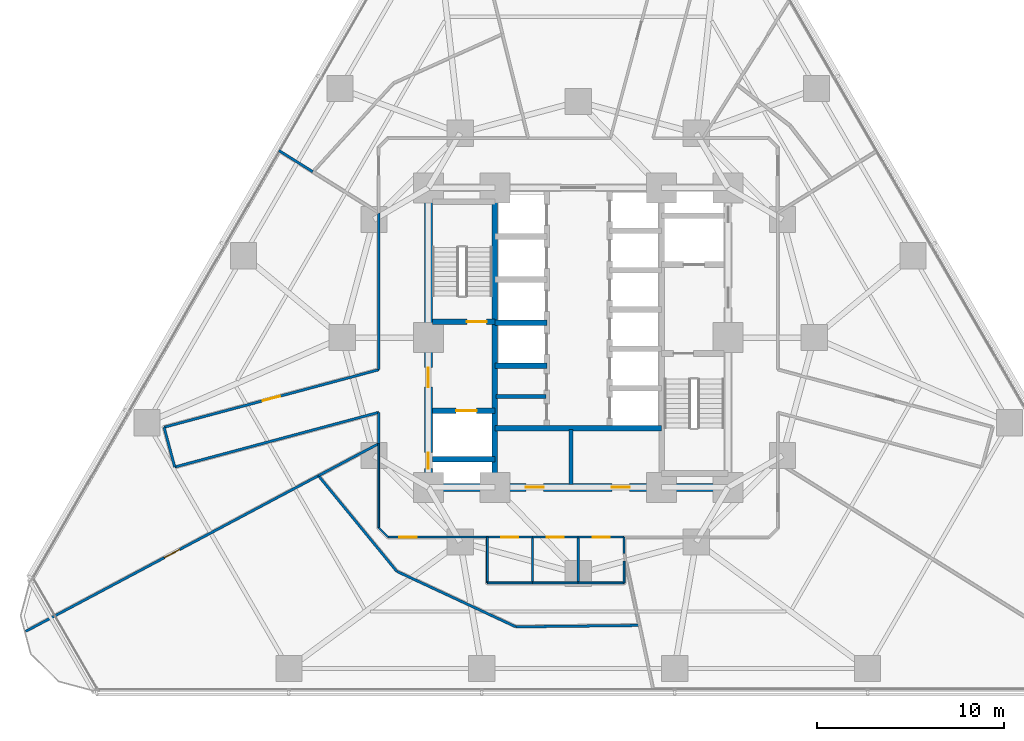
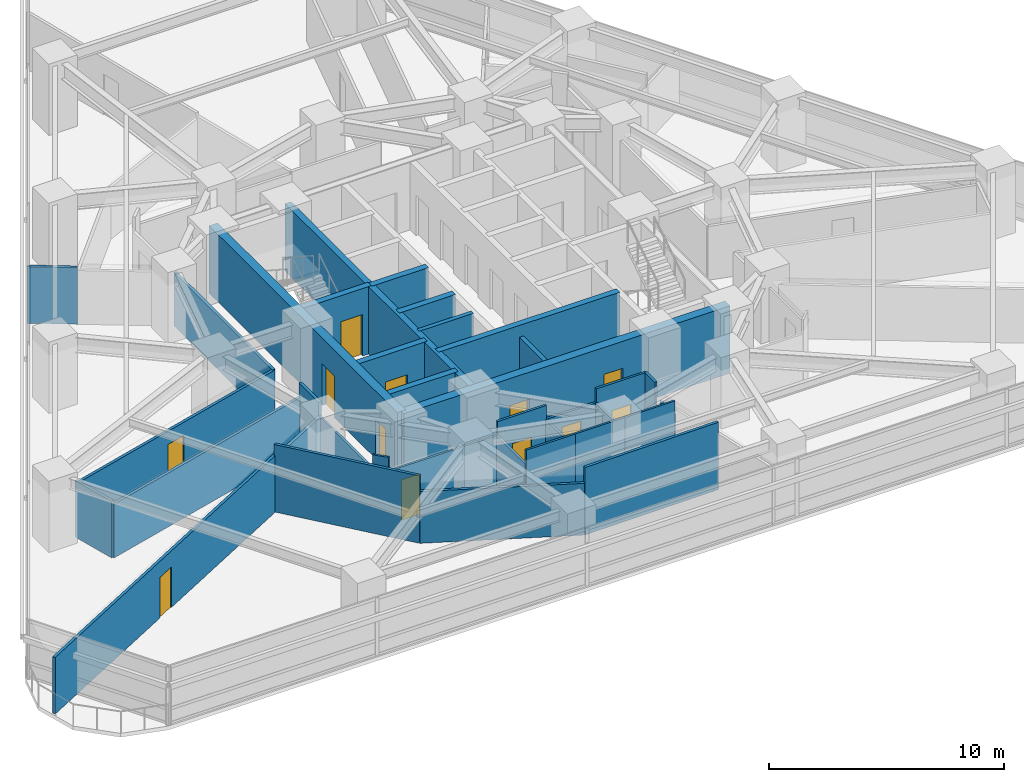
# One storey, part 8 of 15: 36 walls, 12 doors, 12 openings.
"""IFC4 building model written with IfcOpenShell, lengths in metres."""

import ifcopenshell
import ifcopenshell.guid

model = None  # the IFC model being written
_history = None  # IfcOwnerHistory: only IFC2X3 demands one
_inside = {}  # id of a spatial element -> (the spatial element, [elements in it])
_under = {}  # id of a project, library or spatial element -> (it, [spatial elements below it])
_declared = {}  # id of a project -> (the project, [libraries it declares])
_typed = {}  # id of a type object -> (the type object, [elements of that type])
_made_of = {}  # id of a material, layer set ... -> (it, [elements and type objects made of it])


def new_model(schema):
    """Start an empty IFC model of exactly this schema.

    Asked for "IFC4X3", IfcOpenShell would pick the latest addendum, in which some entities
    have other attributes; the version numbers below select the first issue.
    IFC2X3 requires an IfcOwnerHistory on every rooted entity: one is made here for all.
    """
    global model, _history
    if schema == "IFC4X3":
        model = ifcopenshell.file(schema_version=(4, 3, 0, 0))
    else:
        model = ifcopenshell.file(schema=schema)
    _inside.clear()
    _under.clear()
    _declared.clear()
    _typed.clear()
    _made_of.clear()
    _history = None
    if model.schema == "IFC2X3":
        org = make("IfcOrganization", Name="unknown")
        user = make(
            "IfcPersonAndOrganization",
            ThePerson=make("IfcPerson", FamilyName="unknown"),
            TheOrganization=org,
        )
        app = make(
            "IfcApplication",
            ApplicationDeveloper=org,
            Version="unknown",
            ApplicationFullName="unknown",
            ApplicationIdentifier="unknown",
        )
        _history = make(
            "IfcOwnerHistory",
            OwningUser=user,
            OwningApplication=app,
            ChangeAction="ADDED",
            CreationDate=0,
        )
    return model


def make(cls, **values):
    """One entity of the class cls with the attributes given. An attribute that is None is left unset."""
    return model.create_entity(
        cls, **{name: value for name, value in values.items() if value is not None}
    )


def rooted(cls, **values):
    """An entity with a GlobalId (a new one), such as an element, a storey or a relation."""
    return make(cls, GlobalId=ifcopenshell.guid.new(), OwnerHistory=_history, **values)


def si_unit(unit_type, name, prefix=None):
    """IfcSIUnit, for example si_unit("LENGTHUNIT", "METRE", prefix="MILLI")."""
    return make("IfcSIUnit", UnitType=unit_type, Prefix=prefix, Name=name)


def assignment(units):
    """IfcUnitAssignment: the units of a project."""
    return None if units is None else make("IfcUnitAssignment", Units=units)


def point(xyz):
    """IfcCartesianPoint."""
    return None if xyz is None else make("IfcCartesianPoint", Coordinates=xyz)


def direction(xyz):
    """IfcDirection."""
    return None if xyz is None else make("IfcDirection", DirectionRatios=xyz)


def frame(location, z_axis=None, x_axis=None):
    """IfcAxis2Placement3D, a coordinate frame: its origin and axes. An axis left out is left unset."""
    return make(
        "IfcAxis2Placement3D",
        Location=point(location),
        Axis=direction(z_axis),
        RefDirection=direction(x_axis),
    )


def frame_2d(location, x_axis=None):
    """IfcAxis2Placement2D, a coordinate frame in the plane: its origin and x axis."""
    return make(
        "IfcAxis2Placement2D", Location=point(location), RefDirection=direction(x_axis)
    )


def origin():
    """The frame at (0, 0, 0) with its axes left unset."""
    return frame((0.0, 0.0, 0.0))


def place(relative_to, where):
    """IfcLocalPlacement: puts the frame where relative to a parent placement (None: the world)."""
    return make(
        "IfcLocalPlacement", PlacementRelTo=relative_to, RelativePlacement=where
    )


def context(
    kind, dimensions, precision=None, world=None, true_north=None, identifier=None
):
    """IfcGeometricRepresentationContext, for example the 3D "Model" context."""
    return make(
        "IfcGeometricRepresentationContext",
        ContextIdentifier=identifier,
        ContextType=kind,
        CoordinateSpaceDimension=dimensions,
        Precision=precision,
        WorldCoordinateSystem=world,
        TrueNorth=true_north,
    )


def subcontext(parent, identifier, kind, view, scale=None):
    """IfcGeometricRepresentationSubContext, for example "Body" below "Model"."""
    return make(
        "IfcGeometricRepresentationSubContext",
        ContextIdentifier=identifier,
        ContextType=kind,
        ParentContext=parent,
        TargetScale=scale,
        TargetView=view,
    )


def project(units=None, contexts=None):
    """IfcProject with its units and contexts."""
    return rooted(
        "IfcProject",
        Name="project",
        RepresentationContexts=contexts,
        UnitsInContext=assignment(units),
    )


def spatial(cls, under=None, at=None, **own):
    """A site, building, storey or space (cls), placed at a placement, below another one or the project."""
    s = rooted(cls, ObjectPlacement=at, **own)
    if under is not None:
        _under.setdefault(under.id(), (under, []))[1].append(s)
    return s


def profile(cls, at=None, kind="AREA", **sizes):
    """A parametric profile (cls). Its sizes go by their IFC names, for example OverallWidth=200.0."""
    return make(cls, ProfileType=kind, Position=at, **sizes)


def rectangle(**sizes):
    """IfcRectangleProfileDef."""
    return profile("IfcRectangleProfileDef", **sizes)


def extrude(swept, where, along, depth):
    """IfcExtrudedAreaSolid: the profile swept, set in the frame where, extruded along a direction by depth."""
    return make(
        "IfcExtrudedAreaSolid",
        SweptArea=swept,
        Position=where,
        ExtrudedDirection=direction(along),
        Depth=depth,
    )


def shape(context_of_items, identifier, shape_type, items):
    """IfcShapeRepresentation: the items that make up one representation, for example the "Body"."""
    return make(
        "IfcShapeRepresentation",
        ContextOfItems=context_of_items,
        RepresentationIdentifier=identifier,
        RepresentationType=shape_type,
        Items=items,
    )


def material(Name=None, Category=None):
    """IfcMaterial."""
    return make("IfcMaterial", Name=Name, Category=Category)


def layer(
    of_material, thickness, ventilated=None, Name=None, Category=None, Priority=None
):
    """IfcMaterialLayer: one layer of a wall or slab, of a material (None: an air gap)."""
    return make(
        "IfcMaterialLayer",
        Material=of_material,
        LayerThickness=thickness,
        IsVentilated=ventilated,
        Name=Name,
        Category=Category,
        Priority=Priority,
    )


def layer_set(layers, Name=None):
    """IfcMaterialLayerSet."""
    return make("IfcMaterialLayerSet", MaterialLayers=layers, LayerSetName=Name)


def made_of(thing, what):
    """Note that an element or type object is made of a material, layer set ...; save() writes the relation."""
    if what is not None:
        _made_of.setdefault(what.id(), (what, []))[1].append(thing)
    return thing


def type_object(cls, material=None, **own):
    """A type object (cls), such as IfcWallType, which elements share."""
    return made_of(rooted(cls, **own), material)


def element(
    cls,
    number,
    at=None,
    inside=None,
    cuts=None,
    type_object=None,
    material=None,
    context=None,
    identifier="Body",
    shape_type=None,
    held_by="IfcProductDefinitionShape",
    body=None,
    shapes=None,
    **own,
):
    """One element of the class cls, such as IfcWall. Its Tag is "e" and its number.

    at: its placement. inside: the storey or other place that contains it. cuts: it is an
    opening in that element (IfcRelVoidsElement). A single representation is given by context,
    identifier, shape_type and body (its items); several are given by shapes. held_by: the class
    of the entity that holds the representations. save() writes the other relations.
    """
    e = rooted(cls, Tag="e%d" % number, ObjectPlacement=at, **own)
    if body is not None:
        shapes = [shape(context, identifier, shape_type, body)]
    if shapes is not None:
        e.Representation = make(held_by, Representations=shapes)
    if inside is not None:
        _inside.setdefault(inside.id(), (inside, []))[1].append(e)
    if cuts is not None:
        rooted(
            "IfcRelVoidsElement", RelatingBuildingElement=cuts, RelatedOpeningElement=e
        )
    if type_object is not None:
        _typed.setdefault(type_object.id(), (type_object, []))[1].append(e)
    return made_of(e, material)


def fill(opening, filler):
    """IfcRelFillsElement: the door or window that sits in an opening."""
    return rooted(
        "IfcRelFillsElement",
        RelatingOpeningElement=opening,
        RelatedBuildingElement=filler,
    )


def aggregate(whole, parts):
    """IfcRelAggregates: a whole, such as a stair, and the parts it consists of."""
    return rooted("IfcRelAggregates", RelatingObject=whole, RelatedObjects=parts)


def save(model, path):
    """Write the relations noted so far, then the file.

    IfcRelAggregates (storeys below a building ...), IfcRelContainedInSpatialStructure (elements
    in a storey), IfcRelDefinesByType, IfcRelAssociatesMaterial and IfcRelDeclares: one each for
    every whole, place, type object, material and project.
    """
    for whole, parts in _under.values():
        aggregate(whole, parts)
    for where, things in _inside.values():
        rooted(
            "IfcRelContainedInSpatialStructure",
            RelatedElements=things,
            RelatingStructure=where,
        )
    for kind, things in _typed.values():
        rooted("IfcRelDefinesByType", RelatedObjects=things, RelatingType=kind)
    for what, things in _made_of.values():
        rooted("IfcRelAssociatesMaterial", RelatedObjects=things, RelatingMaterial=what)
    for by, libraries in _declared.values():
        rooted("IfcRelDeclares", RelatingContext=by, RelatedDefinitions=libraries)
    model.write(path)


model = new_model("IFC4")

# Units and contexts
model_context = context("Model", 3, precision=1e-05, world=origin(), true_north=direction((0.0, 1.0)))
body_context = subcontext(model_context, "Body", "Model", "MODEL_VIEW")
ifc_project = project(units=[si_unit("LENGTHUNIT", "METRE"), si_unit("AREAUNIT", "SQUARE_METRE"), si_unit("VOLUMEUNIT", "CUBIC_METRE"), si_unit("PLANEANGLEUNIT", "RADIAN"), si_unit("MASSUNIT", "GRAM", prefix="KILO")], contexts=[model_context])

# Site, building, storey
site_placement = place(None, origin())
site = spatial("IfcSite", under=ifc_project, at=site_placement, CompositionType="ELEMENT")
building_placement = place(site_placement, origin())
building = spatial("IfcBuilding", under=site, at=building_placement, Name="Terralouvre Media Tower", CompositionType="ELEMENT")
storey_placement = place(building_placement, frame((0.0, 0.0, 33.39990234375)))
storey = spatial("IfcBuildingStorey", under=building, at=storey_placement, Name="L07", CompositionType="ELEMENT", Elevation=33.39990234375)

# Wall
ifc_material_1 = material(Name="Concrete C50/60", Category="concrete")
ifc_layer_1 = layer(ifc_material_1, 0.300048828125, Name="Core Internal Shaft Wall CW-300")
ifc_layer_set_1 = layer_set([ifc_layer_1], Name="Concrete C50/60")
wall_type_1 = type_object("IfcWallType", Name="Core Internal Shaft Wall CW-300", PredefinedType="SHEAR", material=ifc_layer_set_1)
wall_1_placement = place(storey_placement, frame((-4.449951171875, -7.7900390625, 0.0), z_axis=(0.0, 0.0, 1.0), x_axis=(0.0, 1.0, 0.0)))
element("IfcWall", 1, at=wall_1_placement, inside=storey, type_object=wall_type_1, Name="L07 Core Shaft Wall SPW", PredefinedType="SHEAR", context=body_context, shape_type="SweptSolid", body=[
    extrude(rectangle(XDim=15.580078125, YDim=0.300048828125, at=frame_2d((7.7900390625, 0.0))), origin(), (0.0, 0.0, 1.0), 3.5),
])

# Wall, opening, door
wall_2_placement = place(storey_placement, frame((-7.7900390625, 0.85009765625, 0.0), z_axis=(0.0, 0.0, 1.0), x_axis=(1.0, 0.0, 0.0)))
wall_2 = element("IfcWall", 2, at=wall_2_placement, inside=storey, type_object=wall_type_1, Name="L07 Core Shaft Wall ST1D", PredefinedType="SHEAR", context=body_context, shape_type="SweptSolid", body=[
    extrude(rectangle(XDim=3.340087890625, YDim=0.300048828125, at=frame_2d((1.669921875, 0.0))), origin(), (0.0, 0.0, 1.0), 3.5),
])
opening_1_placement = place(wall_2_placement, frame((1.85009765625, 0.0, 0.0)))
opening_1 = element("IfcOpeningElement", 3, at=opening_1_placement, cuts=wall_2, Name="Opening FD-01-105X215", PredefinedType="OPENING", context=body_context, shape_type="SweptSolid", body=[
    extrude(rectangle(XDim=1.050048828125, YDim=2.14990234375, at=frame_2d((0.52490234375, 1.074951171875))), frame((0.0, 0.159912109375, 0.0), z_axis=(0.0, -1.0, 0.0), x_axis=(1.0, 0.0, 0.0)), (0.0, 0.0, 1.0), 0.320068359375),
])
ifc_material_2 = material(Name="Galvanised steel fire-resisting leaf", Category="steel")
door_type_1 = type_object("IfcDoorType", Name="Stair and Firefighting Lobby Fire Door FD-01 (1050x2150)", OperationType="NOTDEFINED", PredefinedType="DOOR", material=ifc_material_2)
door_1_placement = place(opening_1_placement, origin())
door_1 = element("IfcDoor", 4, at=door_1_placement, inside=storey, type_object=door_type_1, Name="L07 ST-01 Exit Stair Door", OperationType="SINGLE_SWING_LEFT", OverallHeight=2.14990234375, OverallWidth=1.050048828125, PredefinedType="DOOR", context=body_context, shape_type="SweptSolid", body=[
    extrude(rectangle(XDim=1.050048828125, YDim=2.14990234375, at=frame_2d((0.52490234375, 1.074951171875))), frame((0.0, 0.02490234375, 0.0), z_axis=(0.0, -1.0, 0.0), x_axis=(1.0, 0.0, 0.0)), (0.0, 0.0, 1.0), 0.050048828125),
])
fill(opening_1, door_1)

wall_3_placement = place(storey_placement, frame((-7.7900390625, -3.89990234375, 0.0), z_axis=(0.0, 0.0, 1.0), x_axis=(1.0, 0.0, 0.0)))
wall_3 = element("IfcWall", 5, at=wall_3_placement, inside=storey, type_object=wall_type_1, Name="L07 Core Shaft Wall FF1N", PredefinedType="SHEAR", context=body_context, shape_type="SweptSolid", body=[
    extrude(rectangle(XDim=3.340087890625, YDim=0.300048828125, at=frame_2d((1.669921875, 0.0))), origin(), (0.0, 0.0, 1.0), 3.5),
])
opening_2_placement = place(wall_3_placement, frame((1.27001953125, 0.0, 0.0)))
opening_2 = element("IfcOpeningElement", 6, at=opening_2_placement, cuts=wall_3, Name="Opening LD-FF", PredefinedType="OPENING", context=body_context, shape_type="SweptSolid", body=[
    extrude(rectangle(XDim=1.10009765625, YDim=2.10009765625, at=frame_2d((0.550048828125, 1.050048828125))), frame((0.0, 0.159912109375, 0.0), z_axis=(0.0, -1.0, 0.0), x_axis=(1.0, 0.0, 0.0)), (0.0, 0.0, 1.0), 0.320068359375),
])
ifc_material_3 = material(Name="Stainless steel 316 handrail and balustrade", Category="steel")
door_type_2 = type_object("IfcDoorType", Name="Firefighting Lift Sliding Landing Door LD-FF", OperationType="SLIDING_TO_LEFT", PredefinedType="DOOR", material=ifc_material_3)
door_2_placement = place(opening_2_placement, origin())
door_2 = element("IfcDoor", 7, at=door_2_placement, inside=storey, type_object=door_type_2, Name="L07 Firefighting Lift FFL-01 Landing Door", OperationType="SLIDING_TO_LEFT", OverallHeight=2.10009765625, OverallWidth=1.10009765625, PredefinedType="DOOR", context=body_context, shape_type="SweptSolid", body=[
    extrude(rectangle(XDim=1.10009765625, YDim=2.10009765625, at=frame_2d((0.550048828125, 1.050048828125))), frame((0.0, 0.02490234375, 0.0), z_axis=(0.0, -1.0, 0.0), x_axis=(1.0, 0.0, 0.0)), (0.0, 0.0, 1.0), 0.050048828125),
])
fill(opening_2, door_2)

# Walls
wall_4_placement = place(storey_placement, frame((-7.7900390625, -6.5, 0.0), z_axis=(0.0, 0.0, 1.0), x_axis=(1.0, 0.0, 0.0)))
element("IfcWall", 8, at=wall_4_placement, inside=storey, type_object=wall_type_1, Name="L07 Core Shaft Wall FF1S", PredefinedType="SHEAR", context=body_context, shape_type="SweptSolid", body=[
    extrude(rectangle(XDim=3.340087890625, YDim=0.300048828125, at=frame_2d((1.669921875, 0.0))), origin(), (0.0, 0.0, 1.0), 3.5),
])
wall_5_placement = place(storey_placement, frame((-4.449951171875, -4.85009765625, 0.0), z_axis=(0.0, 0.0, 1.0), x_axis=(1.0, 0.0, 0.0)))
element("IfcWall", 9, at=wall_5_placement, inside=storey, type_object=wall_type_1, Name="L07 Core Shaft Wall CSBN", PredefinedType="SHEAR", context=body_context, shape_type="SweptSolid", body=[
    extrude(rectangle(XDim=8.89990234375, YDim=0.300048828125, at=frame_2d((4.449951171875, 0.0))), origin(), (0.0, 0.0, 1.0), 3.5),
])
for number, where, z_axis, x_axis, name in (
    (10, (-4.449951171875, -1.5, 0.0), (0.0, 0.0, 1.0), (1.0, 0.0, 0.0), "L07 Core Shaft Wall PLLD0"),
    (11, (-4.449951171875, 0.800048828125, 0.0), (0.0, 0.0, 1.0), (1.0, 0.0, 0.0), "L07 Core Shaft Wall PLLD1"),
):
    element("IfcWall", number, at=place(storey_placement, frame(where, z_axis=z_axis, x_axis=x_axis)), inside=storey, type_object=wall_type_1, Name=name, PredefinedType="SHEAR", context=body_context, shape_type="SweptSolid", body=[
        extrude(rectangle(XDim=2.77001953125, YDim=0.300048828125, at=frame_2d((1.385009765625, 0.0))), origin(), (0.0, 0.0, 1.0), 3.5),
    ])

# Wall, openings, doors
ifc_material_4 = material(Name="Concrete C60/75", Category="concrete")
ifc_layer_2 = layer(ifc_material_4, 0.419921875, Name="Core Reinforced Concrete Shear Wall CW-420")
ifc_layer_set_2 = layer_set([ifc_layer_2], Name="Concrete C60/75")
wall_type_2 = type_object("IfcWallType", Name="Core Reinforced Concrete Shear Wall CW-420", PredefinedType="SHEAR", material=ifc_layer_set_2)
wall_6_placement = place(storey_placement, frame((-8.0, -8.0, 0.0), z_axis=(0.0, 0.0, 1.0), x_axis=(0.0, 1.0, 0.0)))
wall_6 = element("IfcWall", 12, at=wall_6_placement, inside=storey, type_object=wall_type_2, Name="L07 W Core Shear Wall", PredefinedType="SHEAR", context=body_context, shape_type="SweptSolid", body=[
    extrude(rectangle(XDim=16.0, YDim=0.419921875, at=frame_2d((8.0, 0.0))), origin(), (0.0, 0.0, 1.0), 3.5),
])
opening_3_placement = place(wall_6_placement, frame((1.001708984375, 0.0, 0.0)))
opening_3 = element("IfcOpeningElement", 13, at=opening_3_placement, cuts=wall_6, Name="Opening TD-R1", PredefinedType="OPENING", context=body_context, shape_type="SweptSolid", body=[
    extrude(rectangle(XDim=0.85009765625, YDim=2.02001953125, at=frame_2d((0.425048828125, 1.010009765625))), frame((0.0, 0.219970703125, 0.0), z_axis=(0.0, -1.0, 0.0), x_axis=(1.0, 0.0, 0.0)), (0.0, 0.0, 1.0), 0.43994140625),
])
opening_4_placement = place(wall_6_placement, frame((5.35009765625, 0.0, 0.0)))
opening_4 = element("IfcOpeningElement", 14, at=opening_4_placement, cuts=wall_6, Name="Opening FD-01-105X215", PredefinedType="OPENING", context=body_context, shape_type="SweptSolid", body=[
    extrude(rectangle(XDim=1.050048828125, YDim=2.14990234375, at=frame_2d((0.52490234375, 1.074951171875))), frame((0.0, 0.219970703125, 0.0), z_axis=(0.0, -1.0, 0.0), x_axis=(1.0, 0.0, 0.0)), (0.0, 0.0, 1.0), 0.43994140625),
])
ifc_material_5 = material(Name="Galvanised steel fire-resisting leaf", Category="steel")
door_type_3 = type_object("IfcDoorType", Name="Riser Inspection Access Trapdoor TD-R1", OperationType="NOTDEFINED", PredefinedType="TRAPDOOR", material=ifc_material_5)
door_3_placement = place(opening_3_placement, origin())
door_3 = element("IfcDoor", 15, at=door_3_placement, inside=storey, type_object=door_type_3, Name="L07 Wet Riser Access Trapdoor", OperationType="SINGLE_SWING_LEFT", OverallHeight=2.02001953125, OverallWidth=0.85009765625, PredefinedType="TRAPDOOR", context=body_context, shape_type="SweptSolid", body=[
    extrude(rectangle(XDim=0.85009765625, YDim=2.02001953125, at=frame_2d((0.425048828125, 1.010009765625))), frame((0.0, 0.02490234375, 0.0), z_axis=(0.0, -1.0, 0.0), x_axis=(1.0, 0.0, 0.0)), (0.0, 0.0, 1.0), 0.050048828125),
])
fill(opening_3, door_3)
door_4_placement = place(opening_4_placement, origin())
door_4 = element("IfcDoor", 16, at=door_4_placement, inside=storey, type_object=door_type_1, Name="L07 West Firefighting Lobby Entry Door", OperationType="SINGLE_SWING_RIGHT", OverallHeight=2.14990234375, OverallWidth=1.050048828125, PredefinedType="DOOR", context=body_context, shape_type="SweptSolid", body=[
    extrude(rectangle(XDim=1.050048828125, YDim=2.14990234375, at=frame_2d((0.52490234375, 1.074951171875))), frame((0.0, 0.02490234375, 0.0), z_axis=(0.0, -1.0, 0.0), x_axis=(1.0, 0.0, 0.0)), (0.0, 0.0, 1.0), 0.050048828125),
])
fill(opening_4, door_4)

wall_7_placement = place(storey_placement, frame((-8.0, -8.0, 0.0), z_axis=(0.0, 0.0, 1.0), x_axis=(1.0, 0.0, 0.0)))
wall_7 = element("IfcWall", 17, at=wall_7_placement, inside=storey, type_object=wall_type_2, Name="L07 S Core Shear Wall", PredefinedType="SHEAR", context=body_context, shape_type="SweptSolid", body=[
    extrude(rectangle(XDim=16.0, YDim=0.419921875, at=frame_2d((8.0, 0.0))), origin(), (0.0, 0.0, 1.0), 3.5),
])
opening_5_placement = place(wall_7_placement, frame((5.199951171875, 0.0, 0.0)))
opening_5 = element("IfcOpeningElement", 18, at=opening_5_placement, cuts=wall_7, Name="Opening FD-02-95X210", PredefinedType="OPENING", context=body_context, shape_type="SweptSolid", body=[
    extrude(rectangle(XDim=0.949951171875, YDim=2.10009765625, at=frame_2d((0.47509765625, 1.050048828125))), frame((0.0, 0.219970703125, 0.0), z_axis=(0.0, -1.0, 0.0), x_axis=(1.0, 0.0, 0.0)), (0.0, 0.0, 1.0), 0.43994140625),
])
opening_6_placement = place(wall_7_placement, frame((9.800048828125, 0.0, 0.0)))
opening_6 = element("IfcOpeningElement", 19, at=opening_6_placement, cuts=wall_7, Name="Opening FD-02-95X210", PredefinedType="OPENING", context=body_context, shape_type="SweptSolid", body=[
    extrude(rectangle(XDim=0.949951171875, YDim=2.10009765625, at=frame_2d((0.47509765625, 1.050048828125))), frame((0.0, 0.219970703125, 0.0), z_axis=(0.0, -1.0, 0.0), x_axis=(1.0, 0.0, 0.0)), (0.0, 0.0, 1.0), 0.43994140625),
])
ifc_material_6 = material(Name="Galvanised steel fire-resisting leaf", Category="steel")
door_type_4 = type_object("IfcDoorType", Name="Plant and Riser Fire Door FD-02 (950x2100)", OperationType="NOTDEFINED", PredefinedType="DOOR", material=ifc_material_6)
door_5_placement = place(opening_5_placement, origin())
door_5 = element("IfcDoor", 20, at=door_5_placement, inside=storey, type_object=door_type_4, Name="L07 Core Valve Plant Door", OperationType="SINGLE_SWING_LEFT", OverallHeight=2.10009765625, OverallWidth=0.949951171875, PredefinedType="DOOR", context=body_context, shape_type="SweptSolid", body=[
    extrude(rectangle(XDim=0.949951171875, YDim=2.10009765625, at=frame_2d((0.47509765625, 1.050048828125))), frame((0.0, 0.02490234375, 0.0), z_axis=(0.0, -1.0, 0.0), x_axis=(1.0, 0.0, 0.0)), (0.0, 0.0, 1.0), 0.050048828125),
])
fill(opening_5, door_5)
door_6_placement = place(opening_6_placement, origin())
door_6 = element("IfcDoor", 21, at=door_6_placement, inside=storey, type_object=door_type_4, Name="L07 Core MDF Plant Door", OperationType="SINGLE_SWING_RIGHT", OverallHeight=2.10009765625, OverallWidth=0.949951171875, PredefinedType="DOOR", context=body_context, shape_type="SweptSolid", body=[
    extrude(rectangle(XDim=0.949951171875, YDim=2.10009765625, at=frame_2d((0.47509765625, 1.050048828125))), frame((0.0, 0.02490234375, 0.0), z_axis=(0.0, -1.0, 0.0), x_axis=(1.0, 0.0, 0.0)), (0.0, 0.0, 1.0), 0.050048828125),
])
fill(opening_6, door_6)

# Walls
ifc_material_7 = material(Name="Low-iron laminated double glazing with solar-control coating", Category="glass")
ifc_layer_3 = layer(ifc_material_7, 0.10009765625, Name="Demountable Glazed Office Partition PT-GL100")
ifc_layer_set_3 = layer_set([ifc_layer_3], Name="Low-iron laminated double glazing with solar-control coating")
wall_type_3 = type_object("IfcWallType", Name="Demountable Glazed Office Partition PT-GL100", PredefinedType="MOVABLE", material=ifc_layer_set_3)
wall_8_placement = place(storey_placement, frame((-10.64990234375, -5.6630859375, 0.0), z_axis=(0.0, 0.0, 1.0), x_axis=(0.0, -1.0, 0.0)))
element("IfcWall", 22, at=wall_8_placement, inside=storey, type_object=wall_type_3, Name="L07 Interior Partition 016", PredefinedType="MOVABLE", context=body_context, shape_type="SweptSolid", body=[
    extrude(rectangle(XDim=4.48681640625, YDim=0.10009765625, at=frame_2d((2.243408203125, 0.0))), origin(), (0.0, 0.0, 1.0), 2.78515625),
])
wall_9_placement = place(storey_placement, frame((-10.64990234375, -10.14990234375, 0.0), z_axis=(0.0, 0.0, 1.0), x_axis=(0.707106781187, -0.707106781187, 0.0)))
element("IfcWall", 23, at=wall_9_placement, inside=storey, type_object=wall_type_3, Name="L07 Interior Partition 017", PredefinedType="MOVABLE", context=body_context, shape_type="SweptSolid", body=[
    extrude(rectangle(XDim=0.70703125, YDim=0.10009765625, at=frame_2d((0.353515625, 0.0))), origin(), (0.0, 0.0, 1.0), 3.5),
])

# Wall, opening, door
wall_10_placement = place(storey_placement, frame((-10.14990234375, -10.64990234375, 0.0), z_axis=(0.0, 0.0, 1.0), x_axis=(1.0, 0.0, 0.0)))
wall_10 = element("IfcWall", 24, at=wall_10_placement, inside=storey, type_object=wall_type_3, Name="L07 Interior Partition 018", PredefinedType="MOVABLE", context=body_context, shape_type="SweptSolid", body=[
    extrude(rectangle(XDim=5.2998046875, YDim=0.10009765625, at=frame_2d((2.64990234375, 0.0))), origin(), (0.0, 0.0, 1.0), 2.78515625),
])
opening_7_placement = place(wall_10_placement, frame((0.60009765625, 0.0, 0.0)))
opening_7 = element("IfcOpeningElement", 25, at=opening_7_placement, cuts=wall_10, Name="Opening ID-03-92X210", PredefinedType="OPENING", context=body_context, shape_type="SweptSolid", body=[
    extrude(rectangle(XDim=0.919921875, YDim=2.10009765625, at=frame_2d((0.4599609375, 1.050048828125))), frame((0.0, 0.06005859375, 0.0), z_axis=(0.0, -1.0, 0.0), x_axis=(1.0, 0.0, 0.0)), (0.0, 0.0, 1.0), 0.1201171875),
])
ifc_material_8 = material(Name="Engineered hardwood acoustic timber leaf", Category="wood")
door_type_5 = type_object("IfcDoorType", Name="Accessible Restroom and Suite Door ID-03 (920x2100)", OperationType="NOTDEFINED", PredefinedType="DOOR", material=ifc_material_8)
door_7_placement = place(opening_7_placement, origin())
door_7 = element("IfcDoor", 26, at=door_7_placement, inside=storey, type_object=door_type_5, Name="L07 Morning Rundown Briefing Room 5 Door", OperationType="SINGLE_SWING_LEFT", OverallHeight=2.10009765625, OverallWidth=0.919921875, PredefinedType="DOOR", context=body_context, shape_type="SweptSolid", body=[
    extrude(rectangle(XDim=0.919921875, YDim=2.10009765625, at=frame_2d((0.4599609375, 1.050048828125))), frame((0.0, 0.02490234375, 0.0), z_axis=(0.0, -1.0, 0.0), x_axis=(1.0, 0.0, 0.0)), (0.0, 0.0, 1.0), 0.050048828125),
])
fill(opening_7, door_7)

# Walls
wall_11_placement = place(storey_placement, frame((-2.449951171875, -13.10009765625, 0.0), z_axis=(0.0, 0.0, 1.0), x_axis=(-1.0, 0.0, 0.0)))
element("IfcWall", 27, at=wall_11_placement, inside=storey, type_object=wall_type_3, Name="L07 Interior Partition 046", PredefinedType="MOVABLE", context=body_context, shape_type="SweptSolid", body=[
    extrude(rectangle(XDim=2.400146484375, YDim=0.10009765625, at=frame_2d((1.2001953125, 0.0))), origin(), (0.0, 0.0, 1.0), 3.5),
])
wall_12_placement = place(storey_placement, frame((-4.85009765625, -13.10009765625, 0.0), z_axis=(0.0, 0.0, 1.0), x_axis=(0.0, 1.0, 0.0)))
element("IfcWall", 28, at=wall_12_placement, inside=storey, type_object=wall_type_3, Name="L07 Interior Partition 047", PredefinedType="MOVABLE", context=body_context, shape_type="SweptSolid", body=[
    extrude(rectangle(XDim=2.4501953125, YDim=0.10009765625, at=frame_2d((1.22509765625, 0.0))), origin(), (0.0, 0.0, 1.0), 2.78515625),
])
wall_13_placement = place(storey_placement, frame((0.0, -13.10009765625, 0.0), z_axis=(0.0, 0.0, 1.0), x_axis=(-1.0, 0.0, 0.0)))
element("IfcWall", 29, at=wall_13_placement, inside=storey, type_object=wall_type_3, Name="L07 Interior Partition 048", PredefinedType="MOVABLE", context=body_context, shape_type="SweptSolid", body=[
    extrude(rectangle(XDim=2.449951171875, YDim=0.10009765625, at=frame_2d((1.22509765625, 0.0))), origin(), (0.0, 0.0, 1.0), 3.5),
])
wall_14_placement = place(storey_placement, frame((2.449951171875, -11.9345703125, 0.0), z_axis=(0.0, 0.0, 1.0), x_axis=(0.0, -1.0, 0.0)))
element("IfcWall", 30, at=wall_14_placement, inside=storey, type_object=wall_type_3, Name="L07 Interior Partition 049", PredefinedType="MOVABLE", context=body_context, shape_type="SweptSolid", body=[
    extrude(rectangle(XDim=1.16552734375, YDim=0.10009765625, at=frame_2d((0.582763671875, 0.0))), origin(), (0.0, 0.0, 1.0), 2.78515625),
])
wall_15_placement = place(storey_placement, frame((2.449951171875, -13.10009765625, 0.0), z_axis=(0.0, 0.0, 1.0), x_axis=(-1.0, 0.0, 0.0)))
element("IfcWall", 31, at=wall_15_placement, inside=storey, type_object=wall_type_3, Name="L07 Interior Partition 050", PredefinedType="MOVABLE", context=body_context, shape_type="SweptSolid", body=[
    extrude(rectangle(XDim=2.449951171875, YDim=0.10009765625, at=frame_2d((1.22509765625, 0.0))), origin(), (0.0, 0.0, 1.0), 3.5),
])
ifc_material_9 = material(Name="Fire-rated gypsum board drywall partition")
ifc_layer_4 = layer(ifc_material_9, 0.199951171875, Name="Fire-Rated Shaft and Lobby Partition FW-200")
ifc_layer_set_4 = layer_set([ifc_layer_4], Name="Fire-rated gypsum board drywall partition")
wall_type_4 = type_object("IfcWallType", Name="Fire-Rated Shaft and Lobby Partition FW-200", PredefinedType="SOLIDWALL", material=ifc_layer_set_4)
wall_16_placement = place(storey_placement, frame((-0.3798828125, -7.85009765625, 0.0), z_axis=(0.0, 0.0, 1.0), x_axis=(0.0, 1.0, 0.0)))
element("IfcWall", 32, at=wall_16_placement, inside=storey, type_object=wall_type_4, Name="L07 Core Service Bay Partition 1", PredefinedType="SOLIDWALL", context=body_context, shape_type="SweptSolid", body=[
    extrude(rectangle(XDim=2.9501953125, YDim=0.199951171875, at=frame_2d((1.47509765625, 0.0))), origin(), (0.0, 0.0, 1.0), 2.885009765625),
])
wall_17_placement = place(storey_placement, frame((-4.39990234375, -3.139892578125, 0.0), z_axis=(0.0, 0.0, 1.0), x_axis=(1.0, 0.0, 0.0)))
element("IfcWall", 33, at=wall_17_placement, inside=storey, type_object=wall_type_4, Name="L07 Core West Sub-Partition 1", PredefinedType="SOLIDWALL", context=body_context, shape_type="SweptSolid", body=[
    extrude(rectangle(XDim=2.679931640625, YDim=0.199951171875, at=frame_2d((1.33984375, 0.0))), origin(), (0.0, 0.0, 1.0), 3.5),
])
ifc_material_10 = material(Name="Fire-rated gypsum board drywall partition")
ifc_layer_5 = layer(ifc_material_10, 0.135009765625, Name="Newsroom Acoustic Partition PT-135")
ifc_layer_set_5 = layer_set([ifc_layer_5], Name="Fire-rated gypsum board drywall partition")
wall_type_5 = type_object("IfcWallType", Name="Newsroom Acoustic Partition PT-135", PredefinedType="PARTITIONING", material=ifc_layer_set_5)
wall_18_placement = place(storey_placement, frame((-10.64990234375, 6.655029296875, 0.0), z_axis=(0.0, 0.0, 1.0), x_axis=(0.0, -1.0, 0.0)))
element("IfcWall", 34, at=wall_18_placement, inside=storey, type_object=wall_type_5, Name="L07 Interior Partition 011", PredefinedType="PARTITIONING", context=body_context, shape_type="SweptSolid", body=[
    extrude(rectangle(XDim=8.3701171875, YDim=0.135009765625, at=frame_2d((4.18505859375, 0.0))), origin(), (0.0, 0.0, 1.0), 2.78515625),
])

# Wall, opening, door
wall_19_placement = place(storey_placement, frame((-10.64990234375, -1.715087890625, 0.0), z_axis=(0.0, 0.0, 1.0), x_axis=(-0.965926659449, -0.258815935688, 0.0)))
wall_19 = element("IfcWall", 35, at=wall_19_placement, inside=storey, type_object=wall_type_5, Name="L07 Interior Partition 012", PredefinedType="PARTITIONING", context=body_context, shape_type="SweptSolid", body=[
    extrude(rectangle(XDim=11.86962890625, YDim=0.135009765625, at=frame_2d((5.934814453125, 0.0))), origin(), (0.0, 0.0, 1.0), 2.78515625),
])
opening_8_placement = place(wall_19_placement, frame((5.459716796875, 0.0, 0.0)))
opening_8 = element("IfcOpeningElement", 36, at=opening_8_placement, cuts=wall_19, Name="Opening ID-02-95X210", PredefinedType="OPENING", context=body_context, shape_type="SweptSolid", body=[
    extrude(rectangle(XDim=0.949951171875, YDim=2.10009765625, at=frame_2d((0.47509765625, 1.050048828125))), frame((0.0, 0.077392578125, 0.0), z_axis=(0.0, -1.0, 0.0), x_axis=(1.0, 0.0, 0.0)), (0.0, 0.0, 1.0), 0.155029296875),
])
ifc_material_11 = material(Name="Engineered hardwood acoustic timber leaf", Category="wood")
door_type_6 = type_object("IfcDoorType", Name="Office and Meeting Room Door ID-02 (950x2100)", OperationType="NOTDEFINED", PredefinedType="DOOR", material=ifc_material_11)
door_8_placement = place(opening_8_placement, origin())
door_8 = element("IfcDoor", 37, at=door_8_placement, inside=storey, type_object=door_type_6, Name="L07 Assignment Editors Workspace 3 Door", OperationType="SINGLE_SWING_RIGHT", OverallHeight=2.10009765625, OverallWidth=0.949951171875, PredefinedType="DOOR", context=body_context, shape_type="SweptSolid", body=[
    extrude(rectangle(XDim=0.949951171875, YDim=2.10009765625, at=frame_2d((0.47509765625, 1.050048828125))), frame((0.0, 0.02490234375, 0.0), z_axis=(0.0, -1.0, 0.0), x_axis=(1.0, 0.0, 0.0)), (0.0, 0.0, 1.0), 0.050048828125),
])
fill(opening_8, door_8)

# Walls
wall_20_placement = place(storey_placement, frame((-22.114990234375, -4.787109375, 0.0), z_axis=(0.0, 0.0, 1.0), x_axis=(0.259105843213, -0.965848933329, 0.0)))
element("IfcWall", 38, at=wall_20_placement, inside=storey, type_object=wall_type_5, Name="L07 Interior Partition 013", PredefinedType="PARTITIONING", context=body_context, shape_type="SweptSolid", body=[
    extrude(rectangle(XDim=2.2001953125, YDim=0.135009765625, at=frame_2d((1.10009765625, 0.0))), origin(), (0.0, 0.0, 1.0), 2.93505859375),
])
wall_21_placement = place(storey_placement, frame((-21.544921875, -6.912109375, 0.0), z_axis=(0.0, 0.0, 1.0), x_axis=(0.965906888357, 0.258889712088, 0.0)))
element("IfcWall", 39, at=wall_21_placement, inside=storey, type_object=wall_type_5, Name="L07 Interior Partition 014", PredefinedType="PARTITIONING", context=body_context, shape_type="SweptSolid", body=[
    extrude(rectangle(XDim=11.279541015625, YDim=0.135009765625, at=frame_2d((5.6396484375, 0.0))), origin(), (0.0, 0.0, 1.0), 2.78515625),
])
wall_22_placement = place(storey_placement, frame((-10.64990234375, -3.991943359375, 0.0), z_axis=(0.0, 0.0, 1.0), x_axis=(0.0, -1.0, 0.0)))
element("IfcWall", 40, at=wall_22_placement, inside=storey, type_object=wall_type_5, Name="L07 Interior Partition 015", PredefinedType="PARTITIONING", context=body_context, shape_type="SweptSolid", body=[
    extrude(rectangle(XDim=1.671142578125, YDim=0.135009765625, at=frame_2d((0.83544921875, 0.0))), origin(), (0.0, 0.0, 1.0), 3.5),
])

# Wall, opening, door
wall_23_placement = place(storey_placement, frame((-29.498046875, -15.68408203125, 0.0), z_axis=(0.0, 0.0, 1.0), x_axis=(0.882944182352, 0.46947797696, 0.0)))
wall_23 = element("IfcWall", 41, at=wall_23_placement, inside=storey, type_object=wall_type_5, Name="L07 Interior Partition 038", PredefinedType="PARTITIONING", context=body_context, shape_type="SweptSolid", body=[
    extrude(rectangle(XDim=17.696533203125, YDim=0.135009765625, at=frame_2d((8.84814453125, 0.0))), origin(), (0.0, 0.0, 1.0), 2.93505859375),
])
opening_9_placement = place(wall_23_placement, frame((8.38818359375, 0.0, 0.0)))
opening_9 = element("IfcOpeningElement", 42, at=opening_9_placement, cuts=wall_23, Name="Opening ID-03-92X210", PredefinedType="OPENING", context=body_context, shape_type="SweptSolid", body=[
    extrude(rectangle(XDim=0.919921875, YDim=2.10009765625, at=frame_2d((0.4599609375, 1.050048828125))), frame((0.0, 0.077392578125, 0.0), z_axis=(0.0, -1.0, 0.0), x_axis=(1.0, 0.0, 0.0)), (0.0, 0.0, 1.0), 0.155029296875),
])
door_9_placement = place(opening_9_placement, origin())
door_9 = element("IfcDoor", 43, at=door_9_placement, inside=storey, type_object=door_type_5, Name="L07 Foreign Copy Desk Office 4 Door", OperationType="SINGLE_SWING_RIGHT", OverallHeight=2.10009765625, OverallWidth=0.919921875, PredefinedType="DOOR", context=body_context, shape_type="SweptSolid", body=[
    extrude(rectangle(XDim=0.919921875, YDim=2.10009765625, at=frame_2d((0.4599609375, 1.050048828125))), frame((0.0, 0.02490234375, 0.0), z_axis=(0.0, -1.0, 0.0), x_axis=(1.0, 0.0, 0.0)), (0.0, 0.0, 1.0), 0.050048828125),
])
fill(opening_9, door_9)

# Walls
wall_24_placement = place(storey_placement, frame((-13.873046875, -7.3759765625, 0.0), z_axis=(0.0, 0.0, 1.0), x_axis=(0.883048160598, 0.469282373486, 0.0)))
element("IfcWall", 44, at=wall_24_placement, inside=storey, type_object=wall_type_5, Name="L07 Interior Partition 039", PredefinedType="PARTITIONING", context=body_context, shape_type="SweptSolid", body=[
    extrude(rectangle(XDim=3.64990234375, YDim=0.135009765625, at=frame_2d((1.824951171875, 0.0))), origin(), (0.0, 0.0, 1.0), 2.78515625),
])
wall_25_placement = place(storey_placement, frame((-14.175048828125, 8.85693359375, 0.0), z_axis=(0.0, 0.0, 1.0), x_axis=(-0.847856855063, 0.530225191142, 0.0)))
element("IfcWall", 45, at=wall_25_placement, inside=storey, type_object=wall_type_5, Name="L07 Interior Partition 040", PredefinedType="PARTITIONING", context=body_context, shape_type="SweptSolid", body=[
    extrude(rectangle(XDim=2.1337890625, YDim=0.135009765625, at=frame_2d((1.06689453125, 0.0))), origin(), (0.0, 0.0, 1.0), 2.93505859375),
])
wall_26_placement = place(storey_placement, frame((3.26708984375, -15.367919921875, 0.0), z_axis=(0.0, 0.0, 1.0), x_axis=(-0.999931630146, -0.011693375588, 0.0)))
element("IfcWall", 46, at=wall_26_placement, inside=storey, type_object=wall_type_5, Name="L07 Interior Partition 042", PredefinedType="PARTITIONING", context=body_context, shape_type="SweptSolid", body=[
    extrude(rectangle(XDim=6.59765625, YDim=0.135009765625, at=frame_2d((3.298828125, 0.0))), origin(), (0.0, 0.0, 1.0), 3.5),
])
wall_27_placement = place(storey_placement, frame((-3.330078125, -15.445068359375, 0.0), z_axis=(0.0, 0.0, 1.0), x_axis=(-0.90631018164, 0.422613126458, 0.0)))
element("IfcWall", 47, at=wall_27_placement, inside=storey, type_object=wall_type_5, Name="L07 Interior Partition 043", PredefinedType="PARTITIONING", context=body_context, shape_type="SweptSolid", body=[
    extrude(rectangle(XDim=7.018310546875, YDim=0.135009765625, at=frame_2d((3.50927734375, 0.0))), origin(), (0.0, 0.0, 1.0), 2.68505859375),
])
wall_28_placement = place(storey_placement, frame((-9.69091796875, -12.47900390625, 0.0), z_axis=(0.0, 0.0, 1.0), x_axis=(-0.633866270814, 0.773442661562, 0.0)))
element("IfcWall", 48, at=wall_28_placement, inside=storey, type_object=wall_type_5, Name="L07 Interior Partition 044", PredefinedType="PARTITIONING", context=body_context, shape_type="SweptSolid", body=[
    extrude(rectangle(XDim=6.597900390625, YDim=0.135009765625, at=frame_2d((3.298828125, 0.0))), origin(), (0.0, 0.0, 1.0), 3.5),
])

# Wall, opening, door
ifc_material_12 = material(Name="Fire-rated gypsum board drywall partition")
ifc_layer_6 = layer(ifc_material_12, 0.114990234375, Name="Restroom and Pantry Partition PT-115")
ifc_layer_set_6 = layer_set([ifc_layer_6], Name="Fire-rated gypsum board drywall partition")
wall_type_6 = type_object("IfcWallType", Name="Restroom and Pantry Partition PT-115", PredefinedType="PARTITIONING", material=ifc_layer_set_6)
wall_29_placement = place(storey_placement, frame((-4.85009765625, -10.64990234375, 0.0), z_axis=(0.0, 0.0, 1.0), x_axis=(1.0, 0.0, 0.0)))
wall_29 = element("IfcWall", 49, at=wall_29_placement, inside=storey, type_object=wall_type_6, Name="L07 Interior Partition 019", PredefinedType="PARTITIONING", context=body_context, shape_type="SweptSolid", body=[
    extrude(rectangle(XDim=2.400146484375, YDim=0.114990234375, at=frame_2d((1.2001953125, 0.0))), origin(), (0.0, 0.0, 1.0), 3.5),
])
opening_10_placement = place(wall_29_placement, frame((0.739990234375, 0.0, 0.0)))
opening_10 = element("IfcOpeningElement", 50, at=opening_10_placement, cuts=wall_29, Name="Opening ID-03-92X210", PredefinedType="OPENING", context=body_context, shape_type="SweptSolid", body=[
    extrude(rectangle(XDim=0.919921875, YDim=2.10009765625, at=frame_2d((0.4599609375, 1.050048828125))), frame((0.0, 0.0673828125, 0.0), z_axis=(0.0, -1.0, 0.0), x_axis=(1.0, 0.0, 0.0)), (0.0, 0.0, 1.0), 0.135009765625),
])
door_10_placement = place(opening_10_placement, origin())
door_10 = element("IfcDoor", 51, at=door_10_placement, inside=storey, type_object=door_type_5, Name="L07 Male Restroom WC Door", OperationType="SINGLE_SWING_RIGHT", OverallHeight=2.10009765625, OverallWidth=0.919921875, PredefinedType="DOOR", context=body_context, shape_type="SweptSolid", body=[
    extrude(rectangle(XDim=0.919921875, YDim=2.10009765625, at=frame_2d((0.4599609375, 1.050048828125))), frame((0.0, 0.02490234375, 0.0), z_axis=(0.0, -1.0, 0.0), x_axis=(1.0, 0.0, 0.0)), (0.0, 0.0, 1.0), 0.050048828125),
])
fill(opening_10, door_10)

wall_30_placement = place(storey_placement, frame((-2.449951171875, -10.64990234375, 0.0), z_axis=(0.0, 0.0, 1.0), x_axis=(1.0, 0.0, 0.0)))
wall_30 = element("IfcWall", 52, at=wall_30_placement, inside=storey, type_object=wall_type_6, Name="L07 Interior Partition 020", PredefinedType="PARTITIONING", context=body_context, shape_type="SweptSolid", body=[
    extrude(rectangle(XDim=2.449951171875, YDim=0.114990234375, at=frame_2d((1.22509765625, 0.0))), origin(), (0.0, 0.0, 1.0), 2.78515625),
])
opening_11_placement = place(wall_30_placement, frame((0.764892578125, 0.0, 0.0)))
opening_11 = element("IfcOpeningElement", 53, at=opening_11_placement, cuts=wall_30, Name="Opening ID-03-92X210", PredefinedType="OPENING", context=body_context, shape_type="SweptSolid", body=[
    extrude(rectangle(XDim=0.919921875, YDim=2.10009765625, at=frame_2d((0.4599609375, 1.050048828125))), frame((0.0, 0.0673828125, 0.0), z_axis=(0.0, -1.0, 0.0), x_axis=(1.0, 0.0, 0.0)), (0.0, 0.0, 1.0), 0.135009765625),
])
door_11_placement = place(opening_11_placement, origin())
door_11 = element("IfcDoor", 54, at=door_11_placement, inside=storey, type_object=door_type_5, Name="L07 Female Restroom WC Door", OperationType="SINGLE_SWING_LEFT", OverallHeight=2.10009765625, OverallWidth=0.919921875, PredefinedType="DOOR", context=body_context, shape_type="SweptSolid", body=[
    extrude(rectangle(XDim=0.919921875, YDim=2.10009765625, at=frame_2d((0.4599609375, 1.050048828125))), frame((0.0, 0.02490234375, 0.0), z_axis=(0.0, -1.0, 0.0), x_axis=(1.0, 0.0, 0.0)), (0.0, 0.0, 1.0), 0.050048828125),
])
fill(opening_11, door_11)

wall_31_placement = place(storey_placement, frame((0.0, -10.64990234375, 0.0), z_axis=(0.0, 0.0, 1.0), x_axis=(1.0, 0.0, 0.0)))
wall_31 = element("IfcWall", 55, at=wall_31_placement, inside=storey, type_object=wall_type_6, Name="L07 Interior Partition 021", PredefinedType="PARTITIONING", context=body_context, shape_type="SweptSolid", body=[
    extrude(rectangle(XDim=2.449951171875, YDim=0.114990234375, at=frame_2d((1.22509765625, 0.0))), origin(), (0.0, 0.0, 1.0), 3.5),
])
opening_12_placement = place(wall_31_placement, frame((0.764892578125, 0.0, 0.0)))
opening_12 = element("IfcOpeningElement", 56, at=opening_12_placement, cuts=wall_31, Name="Opening ID-03-92X210", PredefinedType="OPENING", context=body_context, shape_type="SweptSolid", body=[
    extrude(rectangle(XDim=0.919921875, YDim=2.10009765625, at=frame_2d((0.4599609375, 1.050048828125))), frame((0.0, 0.0673828125, 0.0), z_axis=(0.0, -1.0, 0.0), x_axis=(1.0, 0.0, 0.0)), (0.0, 0.0, 1.0), 0.135009765625),
])
door_12_placement = place(opening_12_placement, origin())
door_12 = element("IfcDoor", 57, at=door_12_placement, inside=storey, type_object=door_type_5, Name="L07 Accessible Unisex WC Door", OperationType="SINGLE_SWING_RIGHT", OverallHeight=2.10009765625, OverallWidth=0.919921875, PredefinedType="DOOR", context=body_context, shape_type="SweptSolid", body=[
    extrude(rectangle(XDim=0.919921875, YDim=2.10009765625, at=frame_2d((0.4599609375, 1.050048828125))), frame((0.0, 0.02490234375, 0.0), z_axis=(0.0, -1.0, 0.0), x_axis=(1.0, 0.0, 0.0)), (0.0, 0.0, 1.0), 0.050048828125),
])
fill(opening_12, door_12)

# Walls
for number, where, z_axis, x_axis, name in (
    (58, (-2.449951171875, -13.10009765625, 0.0), (0.0, 0.0, 1.0), (0.0, 1.0, 0.0), "L07 Interior Partition 052"),
    (59, (0.0, -13.10009765625, 0.0), (0.0, 0.0, 1.0), (0.0, 1.0, 0.0), "L07 Interior Partition 053"),
):
    element("IfcWall", number, at=place(storey_placement, frame(where, z_axis=z_axis, x_axis=x_axis)), inside=storey, type_object=wall_type_6, Name=name, PredefinedType="PARTITIONING", context=body_context, shape_type="SweptSolid", body=[
        extrude(rectangle(XDim=2.4501953125, YDim=0.114990234375, at=frame_2d((1.22509765625, 0.0))), origin(), (0.0, 0.0, 1.0), 2.78515625),
    ])
wall_32_placement = place(storey_placement, frame((2.449951171875, -11.52587890625, 0.0), z_axis=(0.0, 0.0, 1.0), x_axis=(0.0, 1.0, 0.0)))
element("IfcWall", 60, at=wall_32_placement, inside=storey, type_object=wall_type_6, Name="L07 Interior Partition 054", PredefinedType="PARTITIONING", context=body_context, shape_type="SweptSolid", body=[
    extrude(rectangle(XDim=0.8759765625, YDim=0.114990234375, at=frame_2d((0.43798828125, 0.0))), origin(), (0.0, 0.0, 1.0), 3.5),
])

save(model, "model.ifc")
